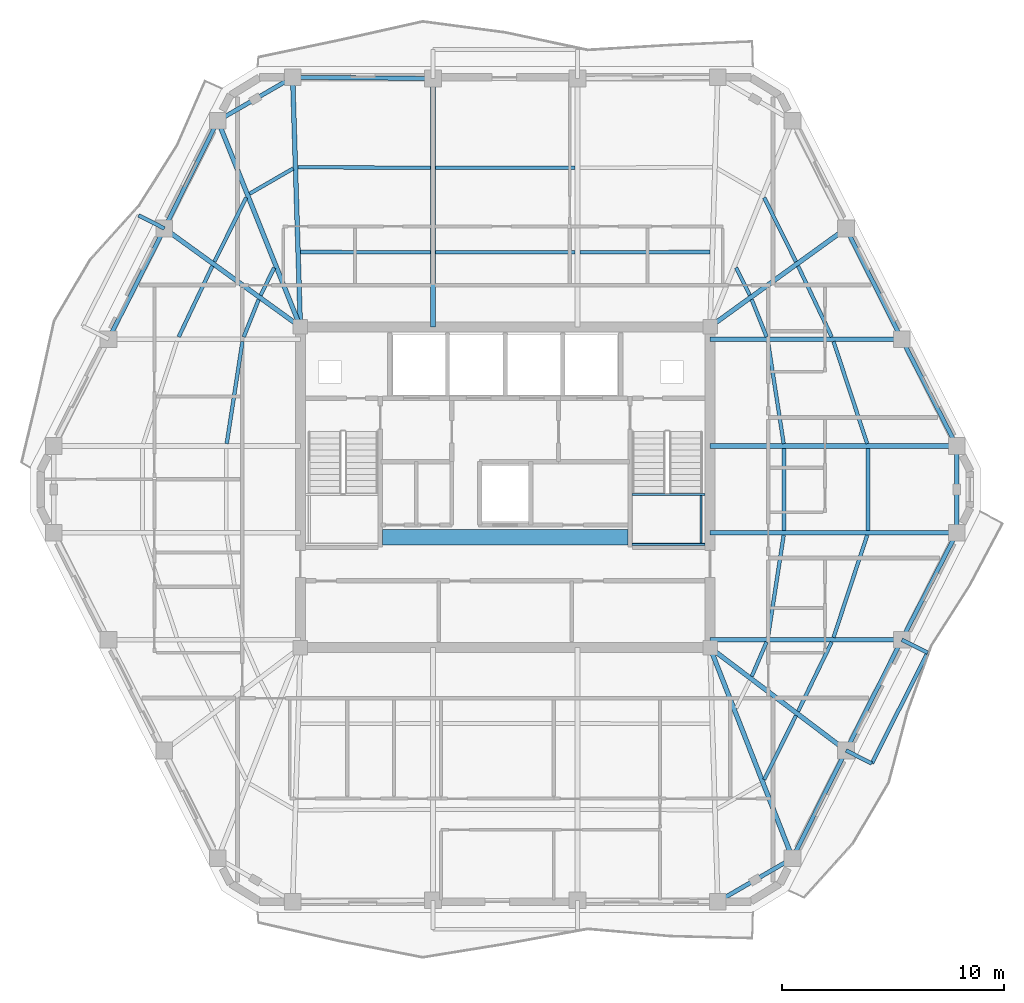
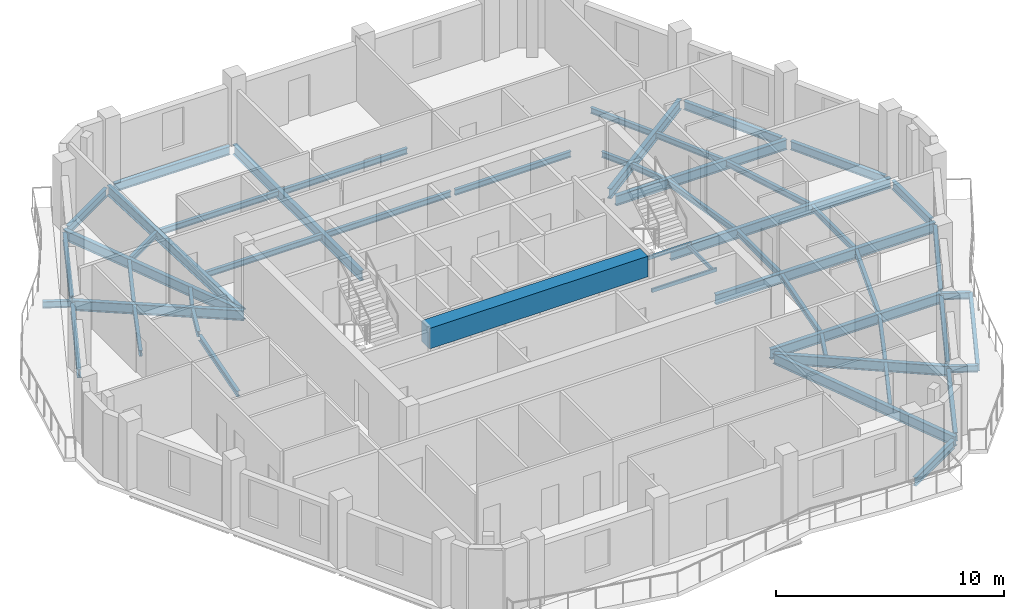
# One storey, part 2 of 11: 54 beams.
"""IFC4 building model written with IfcOpenShell, lengths in metres."""

from ifc_helpers import new_model, si_unit, direction, frame, origin, origin_2d, place, context, subcontext, project, spatial, rectangle, hollow_rectangle, i_section, extrude, material, material_profile, profile_set, type_object, element, save


model = new_model("IFC4")

# Units and contexts
model_context = context("Model", 3, precision=1e-05, world=origin(), true_north=direction((0.0, 1.0)))
body_context = subcontext(model_context, "Body", "Model", "MODEL_VIEW")
ifc_project = project(units=[si_unit("LENGTHUNIT", "METRE"), si_unit("AREAUNIT", "SQUARE_METRE"), si_unit("VOLUMEUNIT", "CUBIC_METRE"), si_unit("PLANEANGLEUNIT", "RADIAN"), si_unit("MASSUNIT", "GRAM", prefix="KILO")], contexts=[model_context])

# Site, building, storey
site_placement = place(None, origin())
site = spatial("IfcSite", under=ifc_project, at=site_placement, CompositionType="ELEMENT")
building_placement = place(site_placement, origin())
building = spatial("IfcBuilding", under=site, at=building_placement, Name="Cinnabar Lancet Tower", CompositionType="ELEMENT")
storey_placement = place(building_placement, frame((0.0, 0.0, 252.550048828125)))
storey = spatial("IfcBuildingStorey", under=building, at=storey_placement, Name="L67", CompositionType="ELEMENT", Elevation=252.550048828125)

# Beams
ifc_material_1 = material(Name="Concrete C70/85", Category="concrete")
ifc_material_profile_1 = material_profile(ifc_material_1, rectangle(XDim=0.699951171875, YDim=1.10009765625, at=origin_2d()), Name="RC-CB 700x1100")
ifc_profile_set_1 = profile_set([ifc_material_profile_1], Name="Concrete C70/85")
beam_type_1 = type_object("IfcBeamType", Name="STR-BM-CB-1100", PredefinedType="BEAM", material=ifc_profile_set_1)
beam_1_placement = place(storey_placement, frame((26.8798828125, 23.64990234375, 2.89990234375), z_axis=(1.0, 0.0, 0.0), x_axis=(0.0, 1.0, 0.0)))
element("IfcBeam", 1, at=beam_1_placement, inside=storey, type_object=beam_type_1, Name="L67 Core Coupling Beam", PredefinedType="BEAM", context=body_context, shape_type="SweptSolid", body=[
    extrude(rectangle(XDim=0.699951171875, YDim=1.10009765625, at=origin_2d()), origin(), (0.0, 0.0, 1.0), 11.0400390625),
])
ifc_material_2 = material(Name="Structural steel S355", Category="steel")
ifc_material_profile_2 = material_profile(ifc_material_2, i_section(OverallWidth=0.1650390625, OverallDepth=0.303466796875, WebThickness=0.006103515625, FlangeThickness=0.01025390625, FilletRadius=0.0087890625, at=origin_2d()), Name="UKB 305x165x40")
ifc_profile_set_2 = profile_set([ifc_material_profile_2], Name="Structural steel S355")
beam_type_2 = type_object("IfcBeamType", Name="STR-BM-JST-305", PredefinedType="JOIST", material=ifc_profile_set_2)
beam_2_placement = place(storey_placement, frame((44.06591796875, 12.73193359375, -0.35205078125), z_axis=(0.444391284604, 0.895832789179, 0.0), x_axis=(-0.895832789179, 0.444391284604, 0.0)))
element("IfcBeam", 2, at=beam_2_placement, inside=storey, type_object=beam_type_2, Name="L67 Secondary Floor Joist 15", PredefinedType="JOIST", context=body_context, shape_type="SweptSolid", body=[
    extrude(i_section(OverallWidth=0.1650390625, OverallDepth=0.303466796875, WebThickness=0.006103515625, FlangeThickness=0.01025390625, FilletRadius=0.0087890625, at=origin_2d()), origin(), (0.0, 0.0, 1.0), 3.220458984375),
])
beam_3_placement = place(storey_placement, frame((45.591064453125, 15.80810546875, -0.35205078125), z_axis=(0.43610936109, 0.899893674369, 0.0), x_axis=(-0.899893674369, 0.43610936109, 0.0)))
element("IfcBeam", 3, at=beam_3_placement, inside=storey, type_object=beam_type_2, Name="L67 Secondary Floor Joist 17", PredefinedType="JOIST", context=body_context, shape_type="SweptSolid", body=[
    extrude(i_section(OverallWidth=0.1650390625, OverallDepth=0.303466796875, WebThickness=0.006103515625, FlangeThickness=0.01025390625, FilletRadius=0.0087890625, at=origin_2d()), origin(), (0.0, 0.0, 1.0), 3.467041015625),
])
beam_4_placement = place(storey_placement, frame((43.5048828125, 17.385009765625, -0.35205078125), z_axis=(0.396302440144, 0.91812002262, 0.0), x_axis=(-0.91812002262, 0.396302440144, 0.0)))
element("IfcBeam", 4, at=beam_4_placement, inside=storey, type_object=beam_type_2, Name="L67 Secondary Floor Joist 18", PredefinedType="JOIST", context=body_context, shape_type="SweptSolid", body=[
    extrude(i_section(OverallWidth=0.1650390625, OverallDepth=0.303466796875, WebThickness=0.006103515625, FlangeThickness=0.01025390625, FilletRadius=0.0087890625, at=origin_2d()), origin(), (0.0, 0.0, 1.0), 1.6806640625),
])
beam_5_placement = place(storey_placement, frame((47.18798828125, 19.137939453125, -0.35205078125), z_axis=(0.312491145371, 0.949920672512, 0.0), x_axis=(-0.949920672512, 0.312491145371, 0.0)))
element("IfcBeam", 5, at=beam_5_placement, inside=storey, type_object=beam_type_2, Name="L67 Secondary Floor Joist 19", PredefinedType="JOIST", context=body_context, shape_type="SweptSolid", body=[
    extrude(i_section(OverallWidth=0.1650390625, OverallDepth=0.303466796875, WebThickness=0.006103515625, FlangeThickness=0.01025390625, FilletRadius=0.0087890625, at=origin_2d()), origin(), (0.0, 0.0, 1.0), 4.8447265625),
])
beam_6_placement = place(storey_placement, frame((44.23291015625, 19.137939453125, -0.35205078125), z_axis=(0.152262059154, 0.988340156698, 0.0), x_axis=(-0.988340156698, 0.152262059154, 0.0)))
element("IfcBeam", 6, at=beam_6_placement, inside=storey, type_object=beam_type_2, Name="L67 Secondary Floor Joist 20", PredefinedType="JOIST", context=body_context, shape_type="SweptSolid", body=[
    extrude(i_section(OverallWidth=0.1650390625, OverallDepth=0.303466796875, WebThickness=0.006103515625, FlangeThickness=0.01025390625, FilletRadius=0.0087890625, at=origin_2d()), origin(), (0.0, 0.0, 1.0), 4.65625),
])
for number, where, z_axis, x_axis, name in (
    (7, (48.737060546875, 23.949951171875, -0.35205078125), (0.0, 1.0, 0.0), (-1.0, 0.0, 0.0), "L67 Secondary Floor Joist 21"),
    (8, (44.958984375, 23.949951171875, -0.35205078125), (0.0, 1.0, 0.0), (-1.0, 0.0, 0.0), "L67 Secondary Floor Joist 22"),
):
    element("IfcBeam", number, at=place(storey_placement, frame(where, z_axis=z_axis, x_axis=x_axis)), inside=storey, type_object=beam_type_2, Name=name, PredefinedType="JOIST", context=body_context, shape_type="SweptSolid", body=[
        extrude(i_section(OverallWidth=0.1650390625, OverallDepth=0.303466796875, WebThickness=0.006103515625, FlangeThickness=0.01025390625, FilletRadius=0.0087890625, at=origin_2d()), origin(), (0.0, 0.0, 1.0), 3.699951171875),
    ])
beam_7_placement = place(storey_placement, frame((48.701904296875, 27.860107421875, -0.35205078125), z_axis=(-0.312506104996, 0.94991575118, 0.0), x_axis=(-0.94991575118, -0.312506104996, 0.0)))
element("IfcBeam", 9, at=beam_7_placement, inside=storey, type_object=beam_type_2, Name="L67 Secondary Floor Joist 23", PredefinedType="JOIST", context=body_context, shape_type="SweptSolid", body=[
    extrude(i_section(OverallWidth=0.1650390625, OverallDepth=0.303466796875, WebThickness=0.006103515625, FlangeThickness=0.01025390625, FilletRadius=0.0087890625, at=origin_2d()), origin(), (0.0, 0.0, 1.0), 4.844482421875),
])
beam_8_placement = place(storey_placement, frame((44.94189453125, 27.860107421875, -0.35205078125), z_axis=(-0.152269949853, 0.988338941038, 0.0), x_axis=(-0.988338941038, -0.152269949853, 0.0)))
element("IfcBeam", 10, at=beam_8_placement, inside=storey, type_object=beam_type_2, Name="L67 Secondary Floor Joist 24", PredefinedType="JOIST", context=body_context, shape_type="SweptSolid", body=[
    extrude(i_section(OverallWidth=0.1650390625, OverallDepth=0.303466796875, WebThickness=0.006103515625, FlangeThickness=0.01025390625, FilletRadius=0.0087890625, at=origin_2d()), origin(), (0.0, 0.0, 1.0), 4.656005859375),
])
beam_9_placement = place(storey_placement, frame((47.10400390625, 32.672119140625, -0.35205078125), z_axis=(-0.428647868514, 0.903471640296, 0.0), x_axis=(-0.903471640296, -0.428647868514, 0.0)))
element("IfcBeam", 11, at=beam_9_placement, inside=storey, type_object=beam_type_2, Name="L67 Secondary Floor Joist 25", PredefinedType="JOIST", context=body_context, shape_type="SweptSolid", body=[
    extrude(i_section(OverallWidth=0.1650390625, OverallDepth=0.303466796875, WebThickness=0.006103515625, FlangeThickness=0.01025390625, FilletRadius=0.0087890625, at=origin_2d()), origin(), (0.0, 0.0, 1.0), 3.53173828125),
])
beam_10_placement = place(storey_placement, frame((44.175048828125, 32.672119140625, -0.35205078125), z_axis=(-0.37155332079, 0.928411616585, 0.0), x_axis=(-0.928411616585, -0.37155332079, 0.0)))
element("IfcBeam", 12, at=beam_10_placement, inside=storey, type_object=beam_type_2, Name="L67 Secondary Floor Joist 26", PredefinedType="JOIST", context=body_context, shape_type="SweptSolid", body=[
    extrude(i_section(OverallWidth=0.1650390625, OverallDepth=0.303466796875, WebThickness=0.006103515625, FlangeThickness=0.01025390625, FilletRadius=0.0087890625, at=origin_2d()), origin(), (0.0, 0.0, 1.0), 1.8115234375),
])
beam_11_placement = place(storey_placement, frame((45.4970703125, 36.054931640625, -0.35205078125), z_axis=(-0.44427059531, 0.895892648783, 0.0), x_axis=(-0.895892648783, -0.44427059531, 0.0)))
element("IfcBeam", 13, at=beam_11_placement, inside=storey, type_object=beam_type_2, Name="L67 Secondary Floor Joist 27", PredefinedType="JOIST", context=body_context, shape_type="SweptSolid", body=[
    extrude(i_section(OverallWidth=0.1650390625, OverallDepth=0.303466796875, WebThickness=0.006103515625, FlangeThickness=0.01025390625, FilletRadius=0.0087890625, at=origin_2d()), origin(), (0.0, 0.0, 1.0), 3.221435546875),
])
beam_12_placement = place(storey_placement, frame((43.4150390625, 34.549072265625, -0.35205078125), z_axis=(-0.444661746427, 0.895698571655, 0.0), x_axis=(-0.895698571655, -0.444661746427, 0.0)))
element("IfcBeam", 14, at=beam_12_placement, inside=storey, type_object=beam_type_2, Name="L67 Secondary Floor Joist 28", PredefinedType="JOIST", context=body_context, shape_type="SweptSolid", body=[
    extrude(i_section(OverallWidth=0.1650390625, OverallDepth=0.303466796875, WebThickness=0.006103515625, FlangeThickness=0.01025390625, FilletRadius=0.0087890625, at=origin_2d()), origin(), (0.0, 0.0, 1.0), 1.378662109375),
])
beam_13_placement = place(storey_placement, frame((41.6240234375, 36.49609375, -0.35205078125), z_axis=(-0.999996226008, -0.002747356738, 0.0), x_axis=(0.002747356738, -0.999996226008, 0.0)))
element("IfcBeam", 15, at=beam_13_placement, inside=storey, type_object=beam_type_2, Name="L67 Secondary Floor Joist 31", PredefinedType="JOIST", context=body_context, shape_type="SweptSolid", body=[
    extrude(i_section(OverallWidth=0.1650390625, OverallDepth=0.303466796875, WebThickness=0.006103515625, FlangeThickness=0.01025390625, FilletRadius=0.0087890625, at=origin_2d()), origin(), (0.0, 0.0, 1.0), 5.864990234375),
])
for number, where, z_axis, x_axis, name in (
    (16, (35.549072265625, 40.281982421875, -0.35205078125), (-1.0, 0.0, 0.0), (0.0, -1.0, 0.0), "L67 Secondary Floor Joist 32"),
    (17, (35.549072265625, 36.47998046875, -0.35205078125), (-1.0, 0.0, 0.0), (0.0, -1.0, 0.0), "L67 Secondary Floor Joist 33"),
):
    element("IfcBeam", number, at=place(storey_placement, frame(where, z_axis=z_axis, x_axis=x_axis)), inside=storey, type_object=beam_type_2, Name=name, PredefinedType="JOIST", context=body_context, shape_type="SweptSolid", body=[
        extrude(i_section(OverallWidth=0.1650390625, OverallDepth=0.303466796875, WebThickness=0.006103515625, FlangeThickness=0.01025390625, FilletRadius=0.0087890625, at=origin_2d()), origin(), (0.0, 0.0, 1.0), 6.298095703125),
    ])
beam_14_placement = place(storey_placement, frame((29.041015625, 40.282958984375, -0.35205078125), z_axis=(-0.999985712428, 0.005345553266, 0.0), x_axis=(-0.005345553266, -0.999985712428, 0.0)))
element("IfcBeam", 18, at=beam_14_placement, inside=storey, type_object=beam_type_2, Name="L67 Secondary Floor Joist 34", PredefinedType="JOIST", context=body_context, shape_type="SweptSolid", body=[
    extrude(i_section(OverallWidth=0.1650390625, OverallDepth=0.303466796875, WebThickness=0.006103515625, FlangeThickness=0.01025390625, FilletRadius=0.0087890625, at=origin_2d()), origin(), (0.0, 0.0, 1.0), 5.98291015625),
])
beam_15_placement = place(storey_placement, frame((29.041015625, 36.47998046875, -0.35205078125), z_axis=(-0.999996226008, 0.002747356738, 0.0), x_axis=(-0.002747356738, -0.999996226008, 0.0)))
element("IfcBeam", 19, at=beam_15_placement, inside=storey, type_object=beam_type_2, Name="L67 Secondary Floor Joist 35", PredefinedType="JOIST", context=body_context, shape_type="SweptSolid", body=[
    extrude(i_section(OverallWidth=0.1650390625, OverallDepth=0.303466796875, WebThickness=0.006103515625, FlangeThickness=0.01025390625, FilletRadius=0.0087890625, at=origin_2d()), origin(), (0.0, 0.0, 1.0), 5.864990234375),
])
beam_16_placement = place(storey_placement, frame((22.85009765625, 40.256103515625, -0.35205078125), z_axis=(-0.865426285481, -0.501036270542, 0.0), x_axis=(0.501036270542, -0.865426285481, 0.0)))
element("IfcBeam", 20, at=beam_16_placement, inside=storey, type_object=beam_type_2, Name="L67 Secondary Floor Joist 36", PredefinedType="JOIST", context=body_context, shape_type="SweptSolid", body=[
    extrude(i_section(OverallWidth=0.1650390625, OverallDepth=0.303466796875, WebThickness=0.006103515625, FlangeThickness=0.01025390625, FilletRadius=0.0087890625, at=origin_2d()), origin(), (0.0, 0.0, 1.0), 2.267333984375),
])
beam_17_placement = place(storey_placement, frame((20.73388671875, 38.94091796875, -0.35205078125), z_axis=(-0.444209762814, -0.89592281287, 0.0), x_axis=(0.89592281287, -0.444209762814, 0.0)))
element("IfcBeam", 21, at=beam_17_placement, inside=storey, type_object=beam_type_2, Name="L67 Secondary Floor Joist 37", PredefinedType="JOIST", context=body_context, shape_type="SweptSolid", body=[
    extrude(i_section(OverallWidth=0.1650390625, OverallDepth=0.303466796875, WebThickness=0.006103515625, FlangeThickness=0.01025390625, FilletRadius=0.0087890625, at=origin_2d()), origin(), (0.0, 0.0, 1.0), 3.22119140625),
])
beam_18_placement = place(storey_placement, frame((21.998046875, 35.783935546875, -0.35205078125), z_axis=(-0.444661746427, -0.895698571655, 0.0), x_axis=(0.895698571655, -0.444661746427, 0.0)))
element("IfcBeam", 22, at=beam_18_placement, inside=storey, type_object=beam_type_2, Name="L67 Secondary Floor Joist 38", PredefinedType="JOIST", context=body_context, shape_type="SweptSolid", body=[
    extrude(i_section(OverallWidth=0.1650390625, OverallDepth=0.303466796875, WebThickness=0.006103515625, FlangeThickness=0.01025390625, FilletRadius=0.0087890625, at=origin_2d()), origin(), (0.0, 0.0, 1.0), 1.378662109375),
])
beam_19_placement = place(storey_placement, frame((19.2099609375, 35.863037109375, -0.35205078125), z_axis=(-0.428647868514, -0.903471640296, 0.0), x_axis=(0.903471640296, -0.428647868514, 0.0)))
element("IfcBeam", 23, at=beam_19_placement, inside=storey, type_object=beam_type_2, Name="L67 Secondary Floor Joist 39", PredefinedType="JOIST", context=body_context, shape_type="SweptSolid", body=[
    extrude(i_section(OverallWidth=0.1650390625, OverallDepth=0.303466796875, WebThickness=0.006103515625, FlangeThickness=0.01025390625, FilletRadius=0.0087890625, at=origin_2d()), origin(), (0.0, 0.0, 1.0), 3.53173828125),
])
beam_20_placement = place(storey_placement, frame((21.298095703125, 34.35400390625, -0.35205078125), z_axis=(-0.37155332079, -0.928411616585, 0.0), x_axis=(0.928411616585, -0.37155332079, 0.0)))
element("IfcBeam", 24, at=beam_20_placement, inside=storey, type_object=beam_type_2, Name="L67 Secondary Floor Joist 40", PredefinedType="JOIST", context=body_context, shape_type="SweptSolid", body=[
    extrude(i_section(OverallWidth=0.1650390625, OverallDepth=0.303466796875, WebThickness=0.006103515625, FlangeThickness=0.01025390625, FilletRadius=0.0087890625, at=origin_2d()), origin(), (0.0, 0.0, 1.0), 1.8115234375),
])
beam_21_placement = place(storey_placement, frame((20.56689453125, 32.4619140625, -0.35205078125), z_axis=(-0.152269949853, -0.988338941038, 0.0), x_axis=(0.988338941038, -0.152269949853, 0.0)))
element("IfcBeam", 25, at=beam_21_placement, inside=storey, type_object=beam_type_2, Name="L67 Secondary Floor Joist 42", PredefinedType="JOIST", context=body_context, shape_type="SweptSolid", body=[
    extrude(i_section(OverallWidth=0.1650390625, OverallDepth=0.303466796875, WebThickness=0.006103515625, FlangeThickness=0.01025390625, FilletRadius=0.0087890625, at=origin_2d()), origin(), (0.0, 0.0, 1.0), 4.656005859375),
])
ifc_material_3 = material(Name="Structural steel S355", Category="steel")
ifc_material_profile_3 = material_profile(ifc_material_3, hollow_rectangle(XDim=0.10009765625, YDim=0.199951171875, WallThickness=0.008056640625, InnerFilletRadius=0.00390625, OuterFilletRadius=0.011962890625, at=origin_2d()), Name="RHS 200x100x8")
ifc_profile_set_3 = profile_set([ifc_material_profile_3], Name="Structural steel S355")
beam_type_3 = type_object("IfcBeamType", Name="STR-BM-LND-203", PredefinedType="BEAM", material=ifc_profile_set_3)
for number, where, z_axis, x_axis, name in (
    (26, (38.1201171875, 23.330078125, 1.52490234375), (1.0, 0.0, 0.0), (0.0, 1.0, 0.0), "L67 ST-2-L67 Landing Support Beam S"),
    (27, (38.1201171875, 25.570068359375, 1.52490234375), (1.0, 0.0, 0.0), (0.0, 1.0, 0.0), "L67 ST-2-L67 Landing Support Beam N"),
):
    element("IfcBeam", number, at=place(storey_placement, frame(where, z_axis=z_axis, x_axis=x_axis)), inside=storey, type_object=beam_type_3, Name=name, PredefinedType="BEAM", context=body_context, shape_type="SweptSolid", body=[
        extrude(hollow_rectangle(XDim=0.10009765625, YDim=0.199951171875, WallThickness=0.008056640625, InnerFilletRadius=0.00390625, OuterFilletRadius=0.011962890625, at=origin_2d()), origin(), (0.0, 0.0, 1.0), 3.27978515625),
    ])
beam_22_placement = place(storey_placement, frame((41.219970703125, 23.3798828125, 1.52490234375), z_axis=(0.0, 1.0, 0.0), x_axis=(-1.0, 0.0, 0.0)))
element("IfcBeam", 28, at=beam_22_placement, inside=storey, type_object=beam_type_3, Name="L67 ST-2-L67 Landing Side Trimmer Beam", PredefinedType="BEAM", context=body_context, shape_type="SweptSolid", body=[
    extrude(hollow_rectangle(XDim=0.10009765625, YDim=0.199951171875, WallThickness=0.008056640625, InnerFilletRadius=0.00390625, OuterFilletRadius=0.011962890625, at=origin_2d()), origin(), (0.0, 0.0, 1.0), 2.14013671875),
])
ifc_material_4 = material(Name="Structural steel S355", Category="steel")
ifc_material_profile_4 = material_profile(ifc_material_4, i_section(OverallWidth=0.1904296875, OverallDepth=0.45703125, WebThickness=0.009033203125, FlangeThickness=0.014404296875, FilletRadius=0.01025390625, at=origin_2d()), Name="UKB 457x191x74")
ifc_profile_set_4 = profile_set([ifc_material_profile_4], Name="Structural steel S355")
beam_type_4 = type_object("IfcBeamType", Name="STR-BM-SPN-457", PredefinedType="SPANDREL", material=ifc_profile_set_4)
beam_23_placement = place(storey_placement, frame((42.18798828125, 7.364013671875, -0.428955078125), z_axis=(0.865230894194, 0.50137361292, 0.0), x_axis=(-0.50137361292, 0.865230894194, 0.0)))
element("IfcBeam", 29, at=beam_23_placement, inside=storey, type_object=beam_type_4, Name="L67 Perimeter Spandrel 4", PredefinedType="SPANDREL", context=body_context, shape_type="SweptSolid", body=[
    extrude(i_section(OverallWidth=0.1904296875, OverallDepth=0.45703125, WebThickness=0.009033203125, FlangeThickness=0.014404296875, FilletRadius=0.01025390625, at=origin_2d()), origin(), (0.0, 0.0, 1.0), 3.39453125),
])
beam_24_placement = place(storey_placement, frame((45.451904296875, 9.4150390625, -0.428955078125), z_axis=(0.444372599207, 0.895842058107, 0.0), x_axis=(-0.895842058107, 0.444372599207, 0.0)))
element("IfcBeam", 30, at=beam_24_placement, inside=storey, type_object=beam_type_4, Name="L67 Perimeter Spandrel 5", PredefinedType="SPANDREL", context=body_context, shape_type="SweptSolid", body=[
    extrude(i_section(OverallWidth=0.1904296875, OverallDepth=0.45703125, WebThickness=0.009033203125, FlangeThickness=0.014404296875, FilletRadius=0.01025390625, at=origin_2d()), origin(), (0.0, 0.0, 1.0), 4.91943359375),
])
beam_25_placement = place(storey_placement, frame((47.862060546875, 14.26904296875, -0.428955078125), z_axis=(0.450091864122, 0.892982258419, 0.0), x_axis=(-0.892982258419, 0.450091864122, 0.0)))
element("IfcBeam", 31, at=beam_25_placement, inside=storey, type_object=beam_type_4, Name="L67 Perimeter Spandrel 6", PredefinedType="SPANDREL", context=body_context, shape_type="SweptSolid", body=[
    extrude(i_section(OverallWidth=0.1904296875, OverallDepth=0.45703125, WebThickness=0.009033203125, FlangeThickness=0.014404296875, FilletRadius=0.01025390625, at=origin_2d()), origin(), (0.0, 0.0, 1.0), 5.085205078125),
])
beam_26_placement = place(storey_placement, frame((50.3779296875, 19.2548828125, -0.428955078125), z_axis=(0.457127852293, 0.889400993174, 0.0), x_axis=(-0.889400993174, 0.457127852293, 0.0)))
element("IfcBeam", 32, at=beam_26_placement, inside=storey, type_object=beam_type_4, Name="L67 Perimeter Spandrel 7", PredefinedType="SPANDREL", context=body_context, shape_type="SweptSolid", body=[
    extrude(i_section(OverallWidth=0.1904296875, OverallDepth=0.45703125, WebThickness=0.009033203125, FlangeThickness=0.014404296875, FilletRadius=0.01025390625, at=origin_2d()), origin(), (0.0, 0.0, 1.0), 4.911376953125),
])
beam_27_placement = place(storey_placement, frame((52.737060546875, 24.094970703125, -0.428955078125), z_axis=(0.0, 1.0, 0.0), x_axis=(-1.0, 0.0, 0.0)))
element("IfcBeam", 33, at=beam_27_placement, inside=storey, type_object=beam_type_4, Name="L67 Perimeter Spandrel 8", PredefinedType="SPANDREL", context=body_context, shape_type="SweptSolid", body=[
    extrude(i_section(OverallWidth=0.1904296875, OverallDepth=0.45703125, WebThickness=0.009033203125, FlangeThickness=0.014404296875, FilletRadius=0.01025390625, at=origin_2d()), origin(), (0.0, 0.0, 1.0), 3.409912109375),
])
beam_28_placement = place(storey_placement, frame((52.623046875, 27.97705078125, -0.428955078125), z_axis=(-0.457148063427, 0.889390604912, 0.0), x_axis=(-0.889390604912, -0.457148063427, 0.0)))
element("IfcBeam", 34, at=beam_28_placement, inside=storey, type_object=beam_type_4, Name="L67 Perimeter Spandrel 9", PredefinedType="SPANDREL", context=body_context, shape_type="SweptSolid", body=[
    extrude(i_section(OverallWidth=0.1904296875, OverallDepth=0.45703125, WebThickness=0.009033203125, FlangeThickness=0.014404296875, FilletRadius=0.01025390625, at=origin_2d()), origin(), (0.0, 0.0, 1.0), 4.9111328125),
])
beam_29_placement = place(storey_placement, frame((50.15087890625, 32.7900390625, -0.428955078125), z_axis=(-0.450091864122, 0.892982258419, 0.0), x_axis=(-0.892982258419, -0.450091864122, 0.0)))
element("IfcBeam", 35, at=beam_29_placement, inside=storey, type_object=beam_type_4, Name="L67 Perimeter Spandrel 10", PredefinedType="SPANDREL", context=body_context, shape_type="SweptSolid", body=[
    extrude(i_section(OverallWidth=0.1904296875, OverallDepth=0.45703125, WebThickness=0.009033203125, FlangeThickness=0.014404296875, FilletRadius=0.01025390625, at=origin_2d()), origin(), (0.0, 0.0, 1.0), 5.085205078125),
])
beam_30_placement = place(storey_placement, frame((28.89599609375, 44.31005859375, -0.428955078125), z_axis=(-0.999964785419, 0.008392134492, 0.0), x_axis=(-0.008392134492, -0.999964785419, 0.0)))
element("IfcBeam", 36, at=beam_30_placement, inside=storey, type_object=beam_type_4, Name="L67 Perimeter Spandrel 15", PredefinedType="SPANDREL", context=body_context, shape_type="SweptSolid", body=[
    extrude(i_section(OverallWidth=0.1904296875, OverallDepth=0.45703125, WebThickness=0.009033203125, FlangeThickness=0.014404296875, FilletRadius=0.01025390625, at=origin_2d()), origin(), (0.0, 0.0, 1.0), 5.818359375),
])
beam_31_placement = place(storey_placement, frame((22.612060546875, 44.236083984375, -0.428955078125), z_axis=(-0.865199693264, -0.501427453153, 0.0), x_axis=(0.501427453153, -0.865199693264, 0.0)))
element("IfcBeam", 37, at=beam_31_placement, inside=storey, type_object=beam_type_4, Name="L67 Perimeter Spandrel 16", PredefinedType="SPANDREL", context=body_context, shape_type="SweptSolid", body=[
    extrude(i_section(OverallWidth=0.1904296875, OverallDepth=0.45703125, WebThickness=0.009033203125, FlangeThickness=0.014404296875, FilletRadius=0.01025390625, at=origin_2d()), origin(), (0.0, 0.0, 1.0), 3.39453125),
])
beam_32_placement = place(storey_placement, frame((19.347900390625, 42.18505859375, -0.428955078125), z_axis=(-0.44433276947, -0.895861814107, 0.0), x_axis=(0.895861814107, -0.44433276947, 0.0)))
element("IfcBeam", 38, at=beam_32_placement, inside=storey, type_object=beam_type_4, Name="L67 Perimeter Spandrel 17", PredefinedType="SPANDREL", context=body_context, shape_type="SweptSolid", body=[
    extrude(i_section(OverallWidth=0.1904296875, OverallDepth=0.45703125, WebThickness=0.009033203125, FlangeThickness=0.014404296875, FilletRadius=0.01025390625, at=origin_2d()), origin(), (0.0, 0.0, 1.0), 4.919189453125),
])
beam_33_placement = place(storey_placement, frame((16.93798828125, 37.3310546875, -0.428955078125), z_axis=(-0.450130146726, -0.892962961722, 0.0), x_axis=(0.892962961722, -0.450130146726, 0.0)))
element("IfcBeam", 39, at=beam_33_placement, inside=storey, type_object=beam_type_4, Name="L67 Perimeter Spandrel 18", PredefinedType="SPANDREL", context=body_context, shape_type="SweptSolid", body=[
    extrude(i_section(OverallWidth=0.1904296875, OverallDepth=0.45703125, WebThickness=0.009033203125, FlangeThickness=0.014404296875, FilletRadius=0.01025390625, at=origin_2d()), origin(), (0.0, 0.0, 1.0), 5.08544921875),
])
ifc_material_5 = material(Name="Structural steel S355", Category="steel")
ifc_material_profile_5 = material_profile(ifc_material_5, i_section(OverallWidth=0.209228515625, OverallDepth=0.533203125, WebThickness=0.010009765625, FlangeThickness=0.015625, FilletRadius=0.0126953125, at=origin_2d()), Name="UKB 533x210x92")
ifc_profile_set_5 = profile_set([ifc_material_profile_5], Name="Structural steel S355")
beam_type_5 = type_object("IfcBeamType", Name="STR-BM-UKB533-92", PredefinedType="BEAM", material=ifc_profile_set_5)
beam_34_placement = place(storey_placement, frame((47.7490234375, 14.0458984375, -0.467041015625), z_axis=(-0.797735075719, 0.603008083667, 0.0), x_axis=(-0.603008083667, -0.797735075719, 0.0)))
element("IfcBeam", 40, at=beam_34_placement, inside=storey, type_object=beam_type_5, Name="L67 Corner Collector Girder 2", PredefinedType="BEAM", context=body_context, shape_type="SweptSolid", body=[
    extrude(i_section(OverallWidth=0.209228515625, OverallDepth=0.533203125, WebThickness=0.010009765625, FlangeThickness=0.015625, FilletRadius=0.0126953125, at=origin_2d()), origin(), (0.0, 0.0, 1.0), 7.6767578125),
])
for number, where, z_axis, x_axis, name in (
    (41, (47.7490234375, 37.553955078125, -0.467041015625), (-0.810299148474, -0.586016458797, 0.0), (0.586016458797, -0.810299148474, 0.0), "L67 Corner Collector Girder 3"),
    (42, (17.051025390625, 37.553955078125, -0.467041015625), (0.810299148474, -0.586016458797, 0.0), (0.586016458797, 0.810299148474, 0.0), "L67 Corner Collector Girder 4"),
):
    element("IfcBeam", number, at=place(storey_placement, frame(where, z_axis=z_axis, x_axis=x_axis)), inside=storey, type_object=beam_type_5, Name=name, PredefinedType="BEAM", context=body_context, shape_type="SweptSolid", body=[
        extrude(i_section(OverallWidth=0.209228515625, OverallDepth=0.533203125, WebThickness=0.010009765625, FlangeThickness=0.015625, FilletRadius=0.0126953125, at=origin_2d()), origin(), (0.0, 0.0, 1.0), 7.5576171875),
    ])
beam_35_placement = place(storey_placement, frame((45.341064453125, 9.19091796875, -0.467041015625), z_axis=(-0.364815017375, 0.931080019707, 0.0), x_axis=(-0.931080019707, -0.364815017375, 0.0)))
element("IfcBeam", 43, at=beam_35_placement, inside=storey, type_object=beam_type_5, Name="L67 Primary Floor Girder 5", PredefinedType="BEAM", context=body_context, shape_type="SweptSolid", body=[
    extrude(i_section(OverallWidth=0.209228515625, OverallDepth=0.533203125, WebThickness=0.010009765625, FlangeThickness=0.015625, FilletRadius=0.0126953125, at=origin_2d()), origin(), (0.0, 0.0, 1.0), 10.186279296875),
])
beam_36_placement = place(storey_placement, frame((50.263916015625, 19.032958984375, -0.467041015625), z_axis=(-1.0, 0.0, 0.0), x_axis=(0.0, -1.0, 0.0)))
element("IfcBeam", 44, at=beam_36_placement, inside=storey, type_object=beam_type_5, Name="L67 Primary Floor Girder 7", PredefinedType="BEAM", context=body_context, shape_type="SweptSolid", body=[
    extrude(i_section(OverallWidth=0.209228515625, OverallDepth=0.533203125, WebThickness=0.010009765625, FlangeThickness=0.015625, FilletRadius=0.0126953125, at=origin_2d()), origin(), (0.0, 0.0, 1.0), 8.638916015625),
])
for number, where, z_axis, x_axis, name in (
    (45, (52.737060546875, 23.844970703125, -0.467041015625), (-1.0, 0.0, 0.0), (0.0, -1.0, 0.0), "L67 Primary Floor Girder 8"),
    (46, (52.737060546875, 27.7548828125, -0.467041015625), (-1.0, 0.0, 0.0), (0.0, -1.0, 0.0), "L67 Primary Floor Girder 9"),
):
    element("IfcBeam", number, at=place(storey_placement, frame(where, z_axis=z_axis, x_axis=x_axis)), inside=storey, type_object=beam_type_5, Name=name, PredefinedType="BEAM", context=body_context, shape_type="SweptSolid", body=[
        extrude(i_section(OverallWidth=0.209228515625, OverallDepth=0.533203125, WebThickness=0.010009765625, FlangeThickness=0.015625, FilletRadius=0.0126953125, at=origin_2d()), origin(), (0.0, 0.0, 1.0), 11.112060546875),
    ])
beam_37_placement = place(storey_placement, frame((50.263916015625, 32.56689453125, -0.467041015625), z_axis=(-1.0, 0.0, 0.0), x_axis=(0.0, -1.0, 0.0)))
element("IfcBeam", 47, at=beam_37_placement, inside=storey, type_object=beam_type_5, Name="L67 Primary Floor Girder 10", PredefinedType="BEAM", context=body_context, shape_type="SweptSolid", body=[
    extrude(i_section(OverallWidth=0.209228515625, OverallDepth=0.533203125, WebThickness=0.010009765625, FlangeThickness=0.015625, FilletRadius=0.0126953125, at=origin_2d()), origin(), (0.0, 0.0, 1.0), 8.638916015625),
])
beam_38_placement = place(storey_placement, frame((29.14599609375, 44.30810546875, -0.467041015625), z_axis=(0.0, -1.0, 0.0), x_axis=(1.0, 0.0, 0.0)))
element("IfcBeam", 48, at=beam_38_placement, inside=storey, type_object=beam_type_5, Name="L67 Primary Floor Girder 15", PredefinedType="BEAM", context=body_context, shape_type="SweptSolid", body=[
    extrude(i_section(OverallWidth=0.209228515625, OverallDepth=0.533203125, WebThickness=0.010009765625, FlangeThickness=0.015625, FilletRadius=0.0126953125, at=origin_2d()), origin(), (0.0, 0.0, 1.0), 11.18310546875),
])
beam_39_placement = place(storey_placement, frame((22.827880859375, 44.361083984375, -0.467041015625), z_axis=(0.030882856862, -0.999523010817, 0.0), x_axis=(0.999523010817, 0.030882856862, 0.0)))
element("IfcBeam", 49, at=beam_39_placement, inside=storey, type_object=beam_type_5, Name="L67 Primary Floor Girder 16", PredefinedType="BEAM", context=body_context, shape_type="SweptSolid", body=[
    extrude(i_section(OverallWidth=0.209228515625, OverallDepth=0.533203125, WebThickness=0.010009765625, FlangeThickness=0.015625, FilletRadius=0.0126953125, at=origin_2d()), origin(), (0.0, 0.0, 1.0), 11.241455078125),
])
beam_40_placement = place(storey_placement, frame((19.458984375, 42.408935546875, -0.467041015625), z_axis=(0.371605341166, -0.928390796172, 0.0), x_axis=(0.928390796172, 0.371605341166, 0.0)))
element("IfcBeam", 50, at=beam_40_placement, inside=storey, type_object=beam_type_5, Name="L67 Primary Floor Girder 17", PredefinedType="BEAM", context=body_context, shape_type="SweptSolid", body=[
    extrude(i_section(OverallWidth=0.209228515625, OverallDepth=0.533203125, WebThickness=0.010009765625, FlangeThickness=0.015625, FilletRadius=0.0126953125, at=origin_2d()), origin(), (0.0, 0.0, 1.0), 10.0),
])
ifc_material_6 = material(Name="Structural steel S355", Category="steel")
ifc_material_profile_6 = material_profile(ifc_material_6, i_section(OverallWidth=0.17138671875, OverallDepth=0.35498046875, WebThickness=0.00732421875, FlangeThickness=0.011474609375, FilletRadius=0.01025390625, at=origin_2d()), Name="UKB 356x171x51")
ifc_profile_set_6 = profile_set([ifc_material_profile_6], Name="Structural steel S355")
beam_type_6 = type_object("IfcBeamType", Name="STR-BM-WAV-OUT", PredefinedType="BEAM", material=ifc_profile_set_6)
for number, where, z_axis, x_axis, name in (
    (51, (47.7490234375, 14.0458984375, -0.39697265625), (0.89227592947, -0.451490493464, 0.0), (0.451490493464, 0.89227592947, 0.0), "L67 Face 2 Balcony Outlooker A"),
    (52, (50.263916015625, 19.032958984375, -0.39697265625), (0.892314203325, -0.451414845285, 0.0), (0.451414845285, 0.892314203325, 0.0), "L67 Face 2 Balcony Outlooker B"),
    (53, (17.051025390625, 37.553955078125, -0.39697265625), (-0.892200264127, 0.451639998995, 0.0), (-0.451639998995, -0.892200264127, 0.0), "L67 Face 5 Balcony Outlooker A"),
):
    element("IfcBeam", number, at=place(storey_placement, frame(where, z_axis=z_axis, x_axis=x_axis)), inside=storey, type_object=beam_type_6, Name=name, PredefinedType="BEAM", context=body_context, shape_type="SweptSolid", body=[
        extrude(i_section(OverallWidth=0.17138671875, OverallDepth=0.35498046875, WebThickness=0.00732421875, FlangeThickness=0.011474609375, FilletRadius=0.01025390625, at=origin_2d()), origin(), (0.0, 0.0, 1.0), 1.300048828125),
    ])
ifc_material_7 = material(Name="Structural steel S355", Category="steel")
ifc_material_profile_7 = material_profile(ifc_material_7, i_section(OverallWidth=0.17138671875, OverallDepth=0.35498046875, WebThickness=0.00732421875, FlangeThickness=0.011474609375, FilletRadius=0.01025390625, at=origin_2d()), Name="UKB 356x171x51")
ifc_profile_set_7 = profile_set([ifc_material_profile_7], Name="Structural steel S355")
beam_type_7 = type_object("IfcBeamType", Name="STR-BM-WAV-TRIM", PredefinedType="SPANDREL", material=ifc_profile_set_7)
beam_41_placement = place(storey_placement, frame((48.908935546875, 13.458984375, -0.39697265625), z_axis=(0.450305622338, 0.892874485295, 0.0), x_axis=(-0.892874485295, 0.450305622338, 0.0)))
element("IfcBeam", 54, at=beam_41_placement, inside=storey, type_object=beam_type_7, Name="L67 Face 2 Balcony Edge Trimmer", PredefinedType="SPANDREL", context=body_context, shape_type="SweptSolid", body=[
    extrude(i_section(OverallWidth=0.17138671875, OverallDepth=0.35498046875, WebThickness=0.00732421875, FlangeThickness=0.011474609375, FilletRadius=0.01025390625, at=origin_2d()), origin(), (0.0, 0.0, 1.0), 5.58544921875),
])

save(model, "model.ifc")
